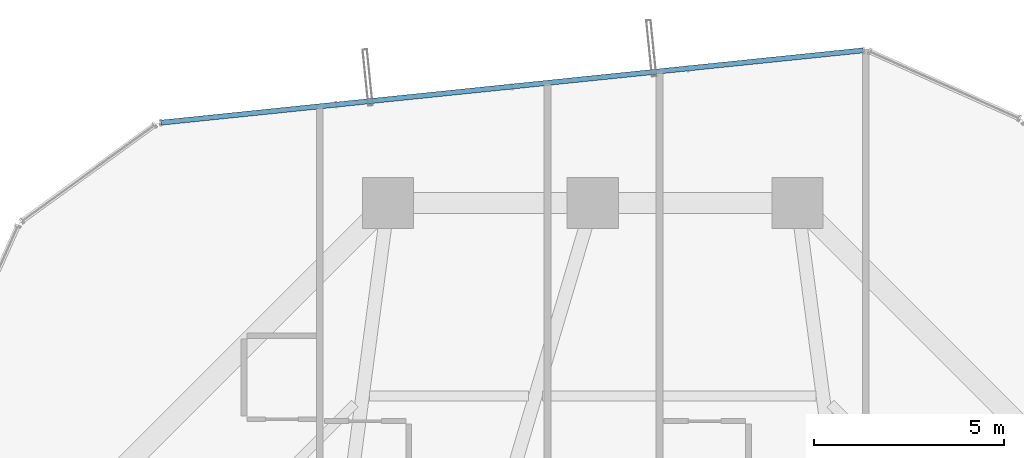
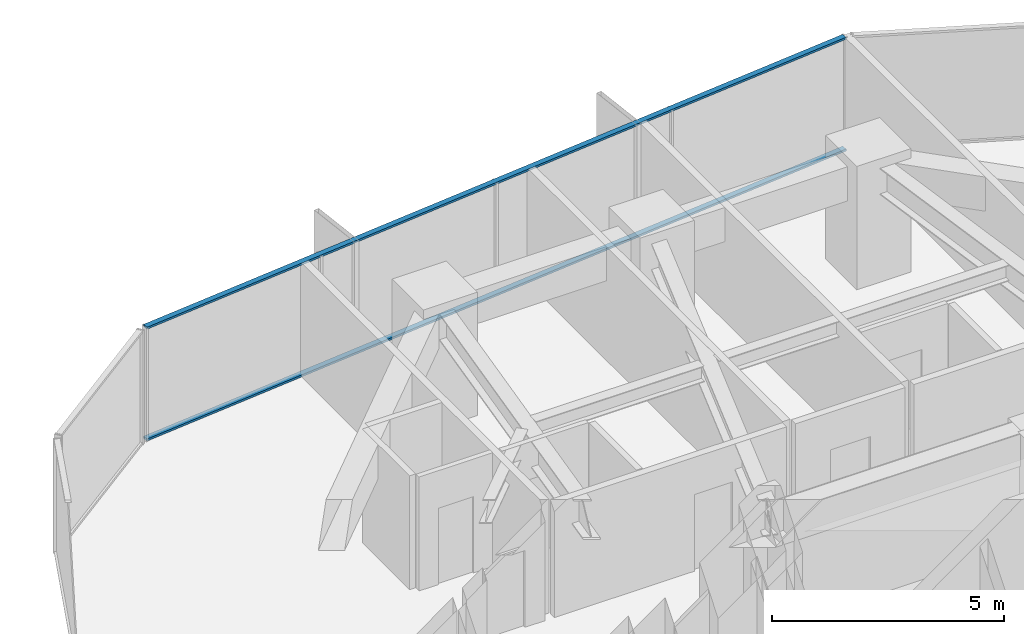
# One storey, part 26 of 37: 2 members, 1 element without a shape of its own.
"""IFC4 building model written with IfcOpenShell, lengths in metres."""

from ifc_helpers import new_model, si_unit, direction, frame, origin, origin_2d, place, context, subcontext, project, spatial, hollow_rectangle, extrude, source, transform, mapped, material, layer, layer_set, material_profile, profile_set, type_object, element, aggregate, save


model = new_model("IFC4")

# Units and contexts
model_context = context("Model", 3, precision=1e-05, world=origin(), true_north=direction((0.0, 1.0)))
body_context = subcontext(model_context, "Body", "Model", "MODEL_VIEW")
ifc_project = project(units=[si_unit("LENGTHUNIT", "METRE"), si_unit("AREAUNIT", "SQUARE_METRE"), si_unit("VOLUMEUNIT", "CUBIC_METRE"), si_unit("PLANEANGLEUNIT", "RADIAN"), si_unit("MASSUNIT", "GRAM", prefix="KILO")], contexts=[model_context])

# Site, building, storey
site_placement = place(None, origin())
site = spatial("IfcSite", under=ifc_project, at=site_placement, CompositionType="ELEMENT")
building_placement = place(site_placement, origin())
building = spatial("IfcBuilding", under=site, at=building_placement, Name="Veraguas Prism Commons", CompositionType="ELEMENT")
storey_placement = place(building_placement, frame((0.0, 0.0, 43.550048828125)))
storey = spatial("IfcBuildingStorey", under=building, at=storey_placement, Name="L11", CompositionType="ELEMENT", Elevation=43.550048828125)

# Curtain wall, members
ifc_material = material(Name="Anodised aluminium EN AW-6063 T6", Category="aluminium")
ifc_layer = layer(ifc_material, 0.169921875, Name="Unitised Flush Curtain Wall Zone 1", Category="aluminium")
ifc_layer_set = layer_set([ifc_layer], Name="Anodised aluminium EN AW-6063 T6")
curtain_wall_type = type_object("IfcCurtainWallType", Name="Unitised Flush Curtain Wall Zone 1", PredefinedType="NOTDEFINED", material=ifc_layer_set)
curtain_wall_placement = place(storey_placement, origin())
curtain_wall = element("IfcCurtainWall", 1, at=curtain_wall_placement, inside=storey, type_object=curtain_wall_type, Name="Tower Facade Curtain Wall L11-F2", PredefinedType="NOTDEFINED")
ifc_material_profile = material_profile(ifc_material, hollow_rectangle(XDim=0.054931640625, YDim=0.135009765625, WallThickness=0.0029296875, at=origin_2d()), Name="AL55X135X3")
ifc_profile_set = profile_set([ifc_material_profile], Name="Anodised aluminium EN AW-6063 T6")
member_type = type_object("IfcMemberType", Name="Curtain Wall Transom Standard AL 55x135x3", PredefinedType="USERDEFINED", material=ifc_profile_set)
shared_shape = source(origin(), body_context, "Body", "SweptSolid", [
    extrude(hollow_rectangle(XDim=0.054931640625, YDim=0.135009765625, WallThickness=0.0029296875, at=origin_2d()), origin(), (0.0, 0.0, 1.0), 18.62353515625),
])
member_1_placement = place(storey_placement, frame((31.133544921875, 45.629150390625, 0.02734375), z_axis=(-0.994738329525, -0.102448307814, 0.0), x_axis=(0.0, 0.0, 1.0)))
member_1 = element("IfcMember", 2, at=member_1_placement, type_object=member_type, Name="CW-Z1 Transom 1", ObjectType="TRANSOM", PredefinedType="USERDEFINED", context=body_context, shape_type="MappedRepresentation", body=[
    mapped(shared_shape, transform((0.0, 0.0, 0.0), scale=1.0)),
])
member_2_placement = place(storey_placement, frame((31.133544921875, 45.629150390625, 2.972412109375), z_axis=(-0.994738329525, -0.102448307814, 0.0), x_axis=(0.0, 0.0, 1.0)))
member_2 = element("IfcMember", 3, at=member_2_placement, type_object=member_type, Name="CW-Z1 Transom 2", ObjectType="TRANSOM", PredefinedType="USERDEFINED", context=body_context, shape_type="MappedRepresentation", body=[
    mapped(shared_shape, transform((0.0, 0.0, 0.0), scale=1.0)),
])
aggregate(curtain_wall, [member_1, member_2])

save(model, "model.ifc")
